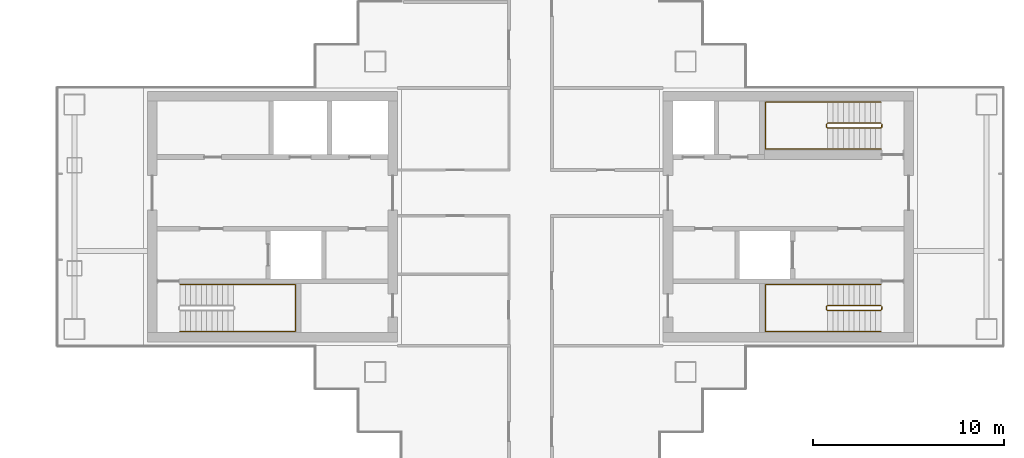
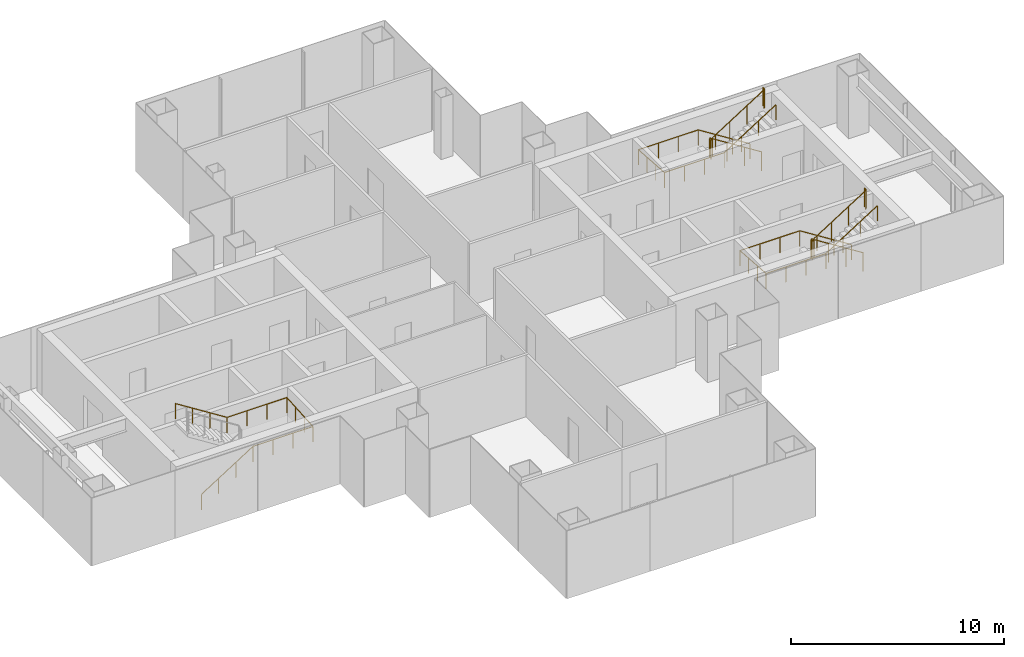
# One storey, part 15 of 16: 5 railings.
"""IFC4 building model written with IfcOpenShell, lengths in metres."""

from ifc_helpers import new_model, si_unit, direction, frame, origin, origin_2d, place, context, subcontext, project, spatial, circle, extrude, material, type_object, element, save


model = new_model("IFC4")

# Units and contexts
model_context = context("Model", 3, precision=1e-05, world=origin(), true_north=direction((0.0, 1.0)))
body_context = subcontext(model_context, "Body", "Model", "MODEL_VIEW")
ifc_project = project(units=[si_unit("LENGTHUNIT", "METRE"), si_unit("AREAUNIT", "SQUARE_METRE"), si_unit("VOLUMEUNIT", "CUBIC_METRE"), si_unit("PLANEANGLEUNIT", "RADIAN"), si_unit("MASSUNIT", "GRAM", prefix="KILO")], contexts=[model_context])

# Site, building, storey
site_placement = place(None, origin())
site = spatial("IfcSite", under=ifc_project, at=site_placement, CompositionType="ELEMENT")
building_placement = place(site_placement, origin())
building = spatial("IfcBuilding", under=site, at=building_placement, Name="Shamsa Quay Exchange Towers", CompositionType="ELEMENT")
storey_placement = place(building_placement, frame((0.0, 0.0, 150.60009765625)))
storey = spatial("IfcBuildingStorey", under=building, at=storey_placement, Name="L35", CompositionType="ELEMENT", Elevation=150.60009765625)

# Railings
ifc_material = material(Name="Stainless steel", Category="steel")
railing_type_1 = type_object("IfcRailingType", Name="STAIR GUARD 1100", PredefinedType="GUARDRAIL", material=ifc_material)
railing_1_placement = place(storey_placement, frame((52.10009765625, -4.64990234375, 0.17724609375)))
element("IfcRailing", 1, at=railing_1_placement, inside=storey, type_object=railing_type_1, Name="L35 ST5 stair guard 1", PredefinedType="GUARDRAIL", context=body_context, shape_type="SweptSolid", body=[
    extrude(circle(Radius=0.02392578125, at=origin_2d()), frame((0.0, 0.0, 1.076171875), z_axis=(-0.844908973607, 0.0, 0.534910110503), x_axis=(0.0, -1.0, 0.0)), (0.0, 0.0, 1.0), 3.31396484375),
    extrude(circle(Radius=0.02392578125, at=origin_2d()), frame((-2.800048828125, 0.0, 2.8486328125), z_axis=(-0.707106781187, -0.707106781187, 0.0), x_axis=(0.707106781187, -0.707106781187, 0.0)), (0.0, 0.0, 1.0), 0.07080078125),
    extrude(circle(Radius=0.02392578125, at=origin_2d()), frame((-2.85009765625, -0.050048828125, 2.8486328125), z_axis=(0.0, -1.0, 0.0), x_axis=(1.0, 0.0, 0.0)), (0.0, 0.0, 1.0), 0.150146484375),
    extrude(circle(Radius=0.02392578125, at=origin_2d()), frame((-2.85009765625, -0.2001953125, 2.8486328125), z_axis=(0.262321481514, -0.261041864531, 0.929001929653), x_axis=(0.705375805398, 0.708833529934, 0.0)), (0.0, 0.0, 1.0), 0.190673828125),
    extrude(circle(Radius=0.02392578125, at=origin_2d()), frame((-2.800048828125, -0.25, 3.02587890625), z_axis=(0.844908973607, 0.0, 0.534910110503), x_axis=(0.0, 1.0, 0.0)), (0.0, 0.0, 1.0), 3.31396484375),
    extrude(circle(Radius=0.02392578125, at=origin_2d()), frame((0.0, -0.25, 4.798828125), z_axis=(0.241699205484, 0.970351222016, 0.0), x_axis=(-0.970351222016, 0.241699205484, 0.0)), (0.0, 0.0, 1.0), 0.2060546875),
    extrude(circle(Radius=0.02392578125, at=origin_2d()), frame((0.0498046875, -0.050048828125, 4.798828125), z_axis=(0.0, -1.0, 0.0), x_axis=(1.0, 0.0, 0.0)), (0.0, 0.0, 1.0), 0.150146484375),
    extrude(circle(Radius=0.02099609375, at=origin_2d()), origin(), (0.0, 0.0, 1.0), 1.052001953125),
    extrude(circle(Radius=0.02099609375, at=origin_2d()), frame((-0.933349609375, 0.0, 0.5908203125)), (0.0, 0.0, 1.0), 1.052001953125),
    extrude(circle(Radius=0.02099609375, at=origin_2d()), frame((-1.86669921875, 0.0, 1.181884765625)), (0.0, 0.0, 1.0), 1.052001953125),
    extrude(circle(Radius=0.02099609375, at=origin_2d()), frame((-2.800048828125, 0.0, 1.772705078125)), (0.0, 0.0, 1.0), 1.052001953125),
    extrude(circle(Radius=0.02099609375, at=origin_2d()), frame((-2.85009765625, -0.050048828125, 1.772705078125)), (0.0, 0.0, 1.0), 1.052001953125),
    extrude(circle(Radius=0.02099609375, at=origin_2d()), frame((-2.85009765625, -0.2001953125, 1.772705078125)), (0.0, 0.0, 1.0), 1.052001953125),
    extrude(circle(Radius=0.02099609375, at=origin_2d()), frame((-2.800048828125, -0.25, 1.949951171875)), (0.0, 0.0, 1.0), 1.052001953125),
    extrude(circle(Radius=0.02099609375, at=origin_2d()), frame((-1.86669921875, -0.25, 2.540771484375)), (0.0, 0.0, 1.0), 1.052001953125),
    extrude(circle(Radius=0.02099609375, at=origin_2d()), frame((-0.933349609375, -0.25, 3.1318359375)), (0.0, 0.0, 1.0), 1.052001953125),
    extrude(circle(Radius=0.02099609375, at=origin_2d()), frame((0.0, -0.25, 3.72265625)), (0.0, 0.0, 1.0), 1.052001953125),
    extrude(circle(Radius=0.02099609375, at=origin_2d()), frame((0.0498046875, -0.050048828125, 3.72265625)), (0.0, 0.0, 1.0), 1.052001953125),
    extrude(circle(Radius=0.02099609375, at=origin_2d()), frame((0.0498046875, -0.2001953125, 3.72265625)), (0.0, 0.0, 1.0), 1.052001953125),
])
railing_2_placement = place(storey_placement, frame((52.10009765625, 4.89990234375, 0.17724609375)))
element("IfcRailing", 2, at=railing_2_placement, inside=storey, type_object=railing_type_1, Name="L35 ST6 stair guard 1", PredefinedType="GUARDRAIL", context=body_context, shape_type="SweptSolid", body=[
    extrude(circle(Radius=0.02392578125, at=origin_2d()), frame((0.0, 0.0, 1.076171875), z_axis=(-0.844908973607, 0.0, 0.534910110503), x_axis=(0.0, -1.0, 0.0)), (0.0, 0.0, 1.0), 3.31396484375),
    extrude(circle(Radius=0.02392578125, at=origin_2d()), frame((-2.800048828125, 0.0, 2.8486328125), z_axis=(-0.708833529934, -0.705375805398, 0.0), x_axis=(0.705375805398, -0.708833529934, 0.0)), (0.0, 0.0, 1.0), 0.070556640625),
    extrude(circle(Radius=0.02392578125, at=origin_2d()), frame((-2.85009765625, -0.0498046875, 2.8486328125), z_axis=(0.0, -1.0, 0.0), x_axis=(1.0, 0.0, 0.0)), (0.0, 0.0, 1.0), 0.150146484375),
    extrude(circle(Radius=0.02392578125, at=origin_2d()), frame((-2.85009765625, -0.199951171875, 2.8486328125), z_axis=(0.262233686654, -0.262233686654, 0.928691007369), x_axis=(0.707106781187, 0.707106781187, 0.0)), (0.0, 0.0, 1.0), 0.19091796875),
    extrude(circle(Radius=0.02392578125, at=origin_2d()), frame((-2.800048828125, -0.25, 3.02587890625), z_axis=(0.844908973607, 0.0, 0.534910110503), x_axis=(0.0, 1.0, 0.0)), (0.0, 0.0, 1.0), 3.31396484375),
    extrude(circle(Radius=0.02392578125, at=origin_2d()), frame((0.0, -0.25, 4.798828125), z_axis=(0.24142163986, 0.970420317083, 0.0), x_axis=(-0.970420317083, 0.24142163986, 0.0)), (0.0, 0.0, 1.0), 0.206298828125),
    extrude(circle(Radius=0.02392578125, at=origin_2d()), frame((0.0498046875, -0.0498046875, 4.798828125), z_axis=(0.0, -1.0, 0.0), x_axis=(1.0, 0.0, 0.0)), (0.0, 0.0, 1.0), 0.150146484375),
    extrude(circle(Radius=0.02099609375, at=origin_2d()), origin(), (0.0, 0.0, 1.0), 1.052001953125),
    extrude(circle(Radius=0.02099609375, at=origin_2d()), frame((-0.933349609375, 0.0, 0.5908203125)), (0.0, 0.0, 1.0), 1.052001953125),
    extrude(circle(Radius=0.02099609375, at=origin_2d()), frame((-1.86669921875, 0.0, 1.181884765625)), (0.0, 0.0, 1.0), 1.052001953125),
    extrude(circle(Radius=0.02099609375, at=origin_2d()), frame((-2.800048828125, 0.0, 1.772705078125)), (0.0, 0.0, 1.0), 1.052001953125),
    extrude(circle(Radius=0.02099609375, at=origin_2d()), frame((-2.85009765625, -0.0498046875, 1.772705078125)), (0.0, 0.0, 1.0), 1.052001953125),
    extrude(circle(Radius=0.02099609375, at=origin_2d()), frame((-2.85009765625, -0.199951171875, 1.772705078125)), (0.0, 0.0, 1.0), 1.052001953125),
    extrude(circle(Radius=0.02099609375, at=origin_2d()), frame((-2.800048828125, -0.25, 1.949951171875)), (0.0, 0.0, 1.0), 1.052001953125),
    extrude(circle(Radius=0.02099609375, at=origin_2d()), frame((-1.86669921875, -0.25, 2.540771484375)), (0.0, 0.0, 1.0), 1.052001953125),
    extrude(circle(Radius=0.02099609375, at=origin_2d()), frame((-0.933349609375, -0.25, 3.1318359375)), (0.0, 0.0, 1.0), 1.052001953125),
    extrude(circle(Radius=0.02099609375, at=origin_2d()), frame((0.0, -0.25, 3.72265625)), (0.0, 0.0, 1.0), 1.052001953125),
    extrude(circle(Radius=0.02099609375, at=origin_2d()), frame((0.0498046875, -0.0498046875, 3.72265625)), (0.0, 0.0, 1.0), 1.052001953125),
    extrude(circle(Radius=0.02099609375, at=origin_2d()), frame((0.0498046875, -0.199951171875, 3.72265625)), (0.0, 0.0, 1.0), 1.052001953125),
])
railing_type_2 = type_object("IfcRailingType", Name="STAIR HANDRAIL 900", PredefinedType="HANDRAIL", material=ifc_material)
railing_3_placement = place(storey_placement, frame((15.39990234375, -6.0, 0.17724609375)))
element("IfcRailing", 3, at=railing_3_placement, inside=storey, type_object=railing_type_2, Name="L35 ST4 stair handrail 1", PredefinedType="HANDRAIL", context=body_context, shape_type="SweptSolid", body=[
    extrude(circle(Radius=0.02392578125, at=origin_2d()), frame((0.0, 0.0, 0.8759765625), z_axis=(0.844908973607, 0.0, 0.534910110503), x_axis=(0.0, 1.0, 0.0)), (0.0, 0.0, 1.0), 3.31396484375),
    extrude(circle(Radius=0.02392578125, at=origin_2d()), frame((2.800048828125, 0.0, 2.6484375), z_axis=(1.0, 0.0, 0.0), x_axis=(0.0, 1.0, 0.0)), (0.0, 0.0, 1.0), 3.25),
    extrude(circle(Radius=0.02392578125, at=origin_2d()), frame((6.050048828125, 0.0, 2.6484375), z_axis=(0.0, 0.997393199914, 0.07215819264), x_axis=(-1.0, 0.0, 0.0)), (0.0, 0.0, 1.0), 2.456298828125),
    extrude(circle(Radius=0.02392578125, at=origin_2d()), frame((6.050048828125, 2.449951171875, 2.82568359375), z_axis=(-1.0, 0.0, 0.0), x_axis=(0.0, -1.0, 0.0)), (0.0, 0.0, 1.0), 3.25),
    extrude(circle(Radius=0.02392578125, at=origin_2d()), frame((2.800048828125, 2.449951171875, 2.82568359375), z_axis=(-0.844908973607, 0.0, 0.534910110503), x_axis=(0.0, -1.0, 0.0)), (0.0, 0.0, 1.0), 3.31396484375),
    extrude(circle(Radius=0.02099609375, at=origin_2d()), origin(), (0.0, 0.0, 1.0), 0.851806640625),
    extrude(circle(Radius=0.02099609375, at=origin_2d()), frame((0.933349609375, 0.0, 0.5908203125)), (0.0, 0.0, 1.0), 0.851806640625),
    extrude(circle(Radius=0.02099609375, at=origin_2d()), frame((1.86669921875, 0.0, 1.181884765625)), (0.0, 0.0, 1.0), 0.851806640625),
    extrude(circle(Radius=0.02099609375, at=origin_2d()), frame((2.800048828125, 0.0, 1.772705078125)), (0.0, 0.0, 1.0), 0.851806640625),
    extrude(circle(Radius=0.02099609375, at=origin_2d()), frame((3.88330078125, 0.0, 1.772705078125)), (0.0, 0.0, 1.0), 0.851806640625),
    extrude(circle(Radius=0.02099609375, at=origin_2d()), frame((4.966796875, 0.0, 1.772705078125)), (0.0, 0.0, 1.0), 0.851806640625),
    extrude(circle(Radius=0.02099609375, at=origin_2d()), frame((6.050048828125, 0.0, 1.772705078125)), (0.0, 0.0, 1.0), 0.851806640625),
    extrude(circle(Radius=0.02099609375, at=origin_2d()), frame((6.050048828125, 0.816650390625, 1.831787109375)), (0.0, 0.0, 1.0), 0.851806640625),
    extrude(circle(Radius=0.02099609375, at=origin_2d()), frame((6.050048828125, 1.63330078125, 1.890869140625)), (0.0, 0.0, 1.0), 0.851806640625),
    extrude(circle(Radius=0.02099609375, at=origin_2d()), frame((6.050048828125, 2.449951171875, 1.949951171875)), (0.0, 0.0, 1.0), 0.851806640625),
    extrude(circle(Radius=0.02099609375, at=origin_2d()), frame((4.966796875, 2.449951171875, 1.949951171875)), (0.0, 0.0, 1.0), 0.851806640625),
    extrude(circle(Radius=0.02099609375, at=origin_2d()), frame((3.88330078125, 2.449951171875, 1.949951171875)), (0.0, 0.0, 1.0), 0.851806640625),
    extrude(circle(Radius=0.02099609375, at=origin_2d()), frame((2.800048828125, 2.449951171875, 1.949951171875)), (0.0, 0.0, 1.0), 0.851806640625),
    extrude(circle(Radius=0.02099609375, at=origin_2d()), frame((1.86669921875, 2.449951171875, 2.540771484375)), (0.0, 0.0, 1.0), 0.851806640625),
    extrude(circle(Radius=0.02099609375, at=origin_2d()), frame((0.933349609375, 2.449951171875, 3.1318359375)), (0.0, 0.0, 1.0), 0.851806640625),
    extrude(circle(Radius=0.02099609375, at=origin_2d()), frame((0.0, 2.449951171875, 3.72265625)), (0.0, 0.0, 1.0), 0.851806640625),
])
railing_4_placement = place(storey_placement, frame((52.10009765625, -3.550048828125, 0.17724609375)))
element("IfcRailing", 4, at=railing_4_placement, inside=storey, type_object=railing_type_2, Name="L35 ST5 stair handrail 1", PredefinedType="HANDRAIL", context=body_context, shape_type="SweptSolid", body=[
    extrude(circle(Radius=0.02392578125, at=origin_2d()), frame((0.0, 0.0, 0.8759765625), z_axis=(-0.844908973607, 0.0, 0.534910110503), x_axis=(0.0, -1.0, 0.0)), (0.0, 0.0, 1.0), 3.31396484375),
    extrude(circle(Radius=0.02392578125, at=origin_2d()), frame((-2.800048828125, 0.0, 2.6484375), z_axis=(-1.0, 0.0, 0.0), x_axis=(0.0, -1.0, 0.0)), (0.0, 0.0, 1.0), 3.25),
    extrude(circle(Radius=0.02392578125, at=origin_2d()), frame((-6.050048828125, 0.0, 2.6484375), z_axis=(0.0, -0.997393199914, 0.07215819264), x_axis=(1.0, 0.0, 0.0)), (0.0, 0.0, 1.0), 2.456298828125),
    extrude(circle(Radius=0.02392578125, at=origin_2d()), frame((-6.050048828125, -2.449951171875, 2.82568359375), z_axis=(1.0, 0.0, 0.0), x_axis=(0.0, 1.0, 0.0)), (0.0, 0.0, 1.0), 3.25),
    extrude(circle(Radius=0.02392578125, at=origin_2d()), frame((-2.800048828125, -2.449951171875, 2.82568359375), z_axis=(0.844908973607, 0.0, 0.534910110503), x_axis=(0.0, 1.0, 0.0)), (0.0, 0.0, 1.0), 3.31396484375),
    extrude(circle(Radius=0.02099609375, at=origin_2d()), origin(), (0.0, 0.0, 1.0), 0.851806640625),
    extrude(circle(Radius=0.02099609375, at=origin_2d()), frame((-0.933349609375, 0.0, 0.5908203125)), (0.0, 0.0, 1.0), 0.851806640625),
    extrude(circle(Radius=0.02099609375, at=origin_2d()), frame((-1.86669921875, 0.0, 1.181884765625)), (0.0, 0.0, 1.0), 0.851806640625),
    extrude(circle(Radius=0.02099609375, at=origin_2d()), frame((-2.800048828125, 0.0, 1.772705078125)), (0.0, 0.0, 1.0), 0.851806640625),
    extrude(circle(Radius=0.02099609375, at=origin_2d()), frame((-3.88330078125, 0.0, 1.772705078125)), (0.0, 0.0, 1.0), 0.851806640625),
    extrude(circle(Radius=0.02099609375, at=origin_2d()), frame((-4.966796875, 0.0, 1.772705078125)), (0.0, 0.0, 1.0), 0.851806640625),
    extrude(circle(Radius=0.02099609375, at=origin_2d()), frame((-6.050048828125, 0.0, 1.772705078125)), (0.0, 0.0, 1.0), 0.851806640625),
    extrude(circle(Radius=0.02099609375, at=origin_2d()), frame((-6.050048828125, -0.816650390625, 1.831787109375)), (0.0, 0.0, 1.0), 0.851806640625),
    extrude(circle(Radius=0.02099609375, at=origin_2d()), frame((-6.050048828125, -1.63330078125, 1.890869140625)), (0.0, 0.0, 1.0), 0.851806640625),
    extrude(circle(Radius=0.02099609375, at=origin_2d()), frame((-6.050048828125, -2.449951171875, 1.949951171875)), (0.0, 0.0, 1.0), 0.851806640625),
    extrude(circle(Radius=0.02099609375, at=origin_2d()), frame((-4.966796875, -2.449951171875, 1.949951171875)), (0.0, 0.0, 1.0), 0.851806640625),
    extrude(circle(Radius=0.02099609375, at=origin_2d()), frame((-3.88330078125, -2.449951171875, 1.949951171875)), (0.0, 0.0, 1.0), 0.851806640625),
    extrude(circle(Radius=0.02099609375, at=origin_2d()), frame((-2.800048828125, -2.449951171875, 1.949951171875)), (0.0, 0.0, 1.0), 0.851806640625),
    extrude(circle(Radius=0.02099609375, at=origin_2d()), frame((-1.86669921875, -2.449951171875, 2.540771484375)), (0.0, 0.0, 1.0), 0.851806640625),
    extrude(circle(Radius=0.02099609375, at=origin_2d()), frame((-0.933349609375, -2.449951171875, 3.1318359375)), (0.0, 0.0, 1.0), 0.851806640625),
    extrude(circle(Radius=0.02099609375, at=origin_2d()), frame((0.0, -2.449951171875, 3.72265625)), (0.0, 0.0, 1.0), 0.851806640625),
])
railing_5_placement = place(storey_placement, frame((52.10009765625, 6.0, 0.17724609375)))
element("IfcRailing", 5, at=railing_5_placement, inside=storey, type_object=railing_type_2, Name="L35 ST6 stair handrail 1", PredefinedType="HANDRAIL", context=body_context, shape_type="SweptSolid", body=[
    extrude(circle(Radius=0.02392578125, at=origin_2d()), frame((0.0, 0.0, 0.8759765625), z_axis=(-0.844908973607, 0.0, 0.534910110503), x_axis=(0.0, -1.0, 0.0)), (0.0, 0.0, 1.0), 3.31396484375),
    extrude(circle(Radius=0.02392578125, at=origin_2d()), frame((-2.800048828125, 0.0, 2.6484375), z_axis=(-1.0, 0.0, 0.0), x_axis=(0.0, -1.0, 0.0)), (0.0, 0.0, 1.0), 3.25),
    extrude(circle(Radius=0.02392578125, at=origin_2d()), frame((-6.050048828125, 0.0, 2.6484375), z_axis=(0.0, -0.997393199914, 0.07215819264), x_axis=(1.0, 0.0, 0.0)), (0.0, 0.0, 1.0), 2.456298828125),
    extrude(circle(Radius=0.02392578125, at=origin_2d()), frame((-6.050048828125, -2.449951171875, 2.82568359375), z_axis=(1.0, 0.0, 0.0), x_axis=(0.0, 1.0, 0.0)), (0.0, 0.0, 1.0), 3.25),
    extrude(circle(Radius=0.02392578125, at=origin_2d()), frame((-2.800048828125, -2.449951171875, 2.82568359375), z_axis=(0.844908973607, 0.0, 0.534910110503), x_axis=(0.0, 1.0, 0.0)), (0.0, 0.0, 1.0), 3.31396484375),
    extrude(circle(Radius=0.02099609375, at=origin_2d()), origin(), (0.0, 0.0, 1.0), 0.851806640625),
    extrude(circle(Radius=0.02099609375, at=origin_2d()), frame((-0.933349609375, 0.0, 0.5908203125)), (0.0, 0.0, 1.0), 0.851806640625),
    extrude(circle(Radius=0.02099609375, at=origin_2d()), frame((-1.86669921875, 0.0, 1.181884765625)), (0.0, 0.0, 1.0), 0.851806640625),
    extrude(circle(Radius=0.02099609375, at=origin_2d()), frame((-2.800048828125, 0.0, 1.772705078125)), (0.0, 0.0, 1.0), 0.851806640625),
    extrude(circle(Radius=0.02099609375, at=origin_2d()), frame((-3.88330078125, 0.0, 1.772705078125)), (0.0, 0.0, 1.0), 0.851806640625),
    extrude(circle(Radius=0.02099609375, at=origin_2d()), frame((-4.966796875, 0.0, 1.772705078125)), (0.0, 0.0, 1.0), 0.851806640625),
    extrude(circle(Radius=0.02099609375, at=origin_2d()), frame((-6.050048828125, 0.0, 1.772705078125)), (0.0, 0.0, 1.0), 0.851806640625),
    extrude(circle(Radius=0.02099609375, at=origin_2d()), frame((-6.050048828125, -0.816650390625, 1.831787109375)), (0.0, 0.0, 1.0), 0.851806640625),
    extrude(circle(Radius=0.02099609375, at=origin_2d()), frame((-6.050048828125, -1.63330078125, 1.890869140625)), (0.0, 0.0, 1.0), 0.851806640625),
    extrude(circle(Radius=0.02099609375, at=origin_2d()), frame((-6.050048828125, -2.449951171875, 1.949951171875)), (0.0, 0.0, 1.0), 0.851806640625),
    extrude(circle(Radius=0.02099609375, at=origin_2d()), frame((-4.966796875, -2.449951171875, 1.949951171875)), (0.0, 0.0, 1.0), 0.851806640625),
    extrude(circle(Radius=0.02099609375, at=origin_2d()), frame((-3.88330078125, -2.449951171875, 1.949951171875)), (0.0, 0.0, 1.0), 0.851806640625),
    extrude(circle(Radius=0.02099609375, at=origin_2d()), frame((-2.800048828125, -2.449951171875, 1.949951171875)), (0.0, 0.0, 1.0), 0.851806640625),
    extrude(circle(Radius=0.02099609375, at=origin_2d()), frame((-1.86669921875, -2.449951171875, 2.540771484375)), (0.0, 0.0, 1.0), 0.851806640625),
    extrude(circle(Radius=0.02099609375, at=origin_2d()), frame((-0.933349609375, -2.449951171875, 3.1318359375)), (0.0, 0.0, 1.0), 0.851806640625),
    extrude(circle(Radius=0.02099609375, at=origin_2d()), frame((0.0, -2.449951171875, 3.72265625)), (0.0, 0.0, 1.0), 0.851806640625),
])

save(model, "model.ifc")
